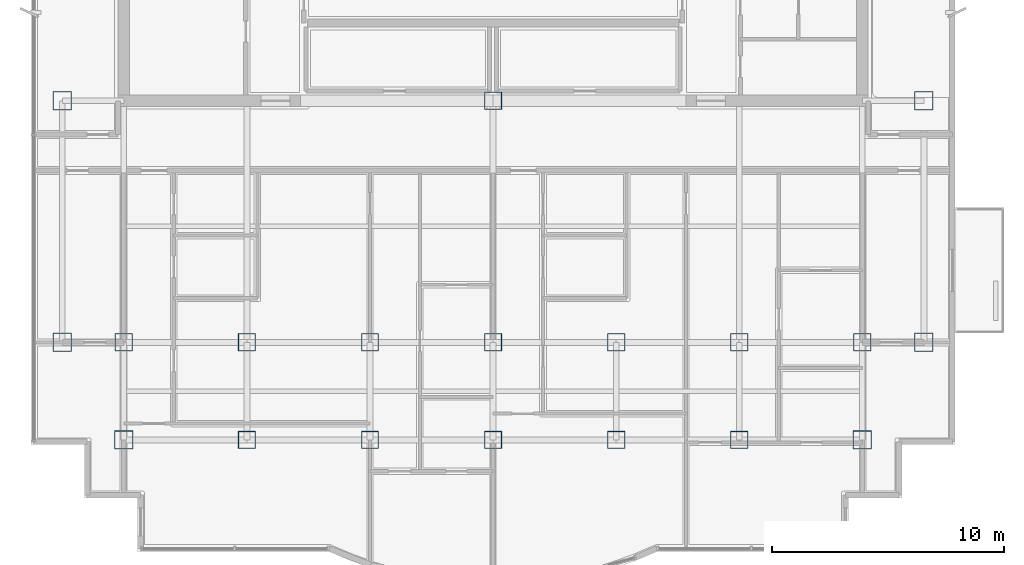
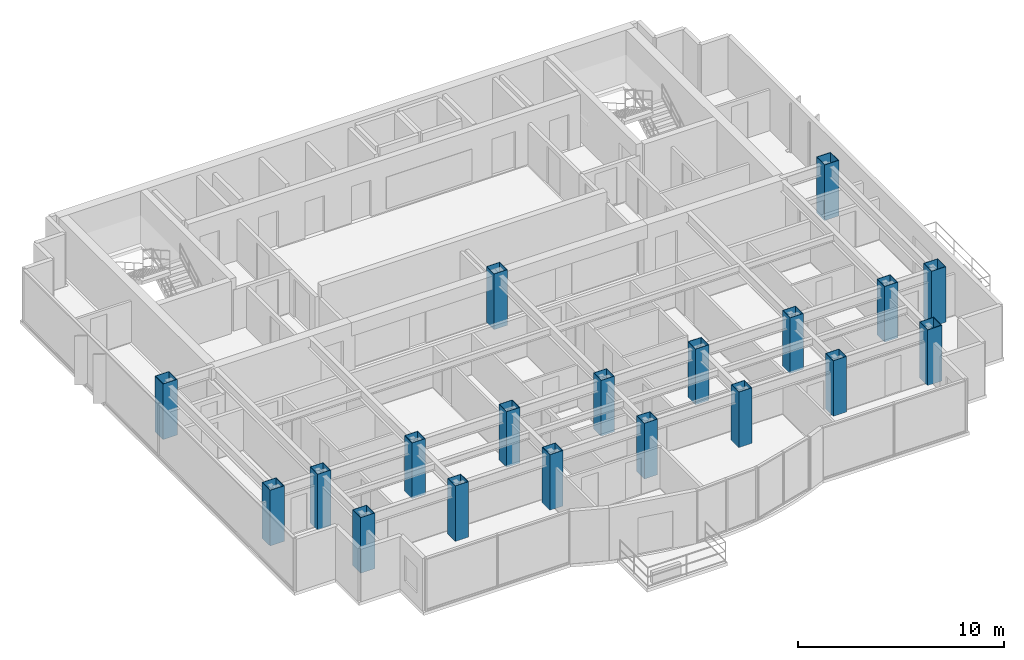
# One storey, part 1 of 11: 19 columns.
"""IFC4 building model written with IfcOpenShell, lengths in metres."""

from ifc_helpers import new_model, si_unit, direction, frame, origin, origin_2d, place, context, subcontext, project, spatial, hollow_rectangle, extrude, material, material_profile, profile_set, type_object, element, save


model = new_model("IFC4")

# Units and contexts
model_context = context("Model", 3, precision=1e-05, world=origin(), true_north=direction((0.0, 1.0)))
body_context = subcontext(model_context, "Body", "Model", "MODEL_VIEW")
ifc_project = project(units=[si_unit("LENGTHUNIT", "METRE"), si_unit("AREAUNIT", "SQUARE_METRE"), si_unit("VOLUMEUNIT", "CUBIC_METRE"), si_unit("PLANEANGLEUNIT", "RADIAN"), si_unit("MASSUNIT", "GRAM", prefix="KILO")], contexts=[model_context])

# Site, building, storey
site_placement = place(None, origin())
site = spatial("IfcSite", under=ifc_project, at=site_placement, CompositionType="ELEMENT")
building_placement = place(site_placement, origin())
building = spatial("IfcBuilding", under=site, at=building_placement, Name="Qianlan Lanfeng Residences", CompositionType="ELEMENT")
storey_placement = place(building_placement, frame((0.0, 0.0, 226.39990234375)))
storey = spatial("IfcBuildingStorey", under=building, at=storey_placement, Name="L62", CompositionType="ELEMENT", Elevation=226.39990234375)

# Columns
ifc_material = material(Name="Steel SN490B", Category="steel")
ifc_material_profile_1 = material_profile(ifc_material, hollow_rectangle(XDim=0.75, YDim=0.75, WallThickness=0.02490234375, at=origin_2d()), Name="BOX 750x750x25")
ifc_profile_set_1 = profile_set([ifc_material_profile_1], Name="Steel SN490B")
column_type_1 = type_object("IfcColumnType", Name="C-B800", PredefinedType="COLUMN", material=ifc_profile_set_1)
for number, where, z_axis, x_axis, name in (
    (1, (26.5, 25.199951171875, 0.0), (0.0, 0.0, 1.0), (1.0, 0.0, 0.0), "L62 Structural Column CP_26.5_25.2"),
    (2, (10.60009765625, 14.800048828125, 0.0), (0.0, 0.0, 1.0), (1.0, 0.0, 0.0), "L62 Structural Column M_10.60_14.80"),
    (3, (15.89990234375, 14.800048828125, 0.0), (0.0, 0.0, 1.0), (1.0, 0.0, 0.0), "L62 Structural Column M_15.90_14.80"),
    (4, (15.89990234375, 10.60009765625, 0.0), (0.0, 0.0, 1.0), (1.0, 0.0, 0.0), "L62 Structural Column G_15.90_10.60"),
    (5, (21.199951171875, 14.800048828125, 0.0), (0.0, 0.0, 1.0), (1.0, 0.0, 0.0), "L62 Structural Column M_21.20_14.80"),
    (6, (21.199951171875, 10.60009765625, 0.0), (0.0, 0.0, 1.0), (1.0, 0.0, 0.0), "L62 Structural Column G_21.20_10.60"),
    (7, (26.5, 14.800048828125, 0.0), (0.0, 0.0, 1.0), (1.0, 0.0, 0.0), "L62 Structural Column M_26.50_14.80"),
    (8, (26.5, 10.60009765625, 0.0), (0.0, 0.0, 1.0), (1.0, 0.0, 0.0), "L62 Structural Column G_26.50_10.60"),
    (9, (31.800048828125, 14.800048828125, 0.0), (0.0, 0.0, 1.0), (1.0, 0.0, 0.0), "L62 Structural Column M_31.80_14.80"),
    (10, (31.800048828125, 10.60009765625, 0.0), (0.0, 0.0, 1.0), (1.0, 0.0, 0.0), "L62 Structural Column G_31.80_10.60"),
    (11, (37.10009765625, 14.800048828125, 0.0), (0.0, 0.0, 1.0), (1.0, 0.0, 0.0), "L62 Structural Column M_37.10_14.80"),
    (12, (37.10009765625, 10.60009765625, 0.0), (0.0, 0.0, 1.0), (1.0, 0.0, 0.0), "L62 Structural Column G_37.10_10.60"),
    (13, (42.39990234375, 14.800048828125, 0.0), (0.0, 0.0, 1.0), (1.0, 0.0, 0.0), "L62 Structural Column M_42.40_14.80"),
):
    element("IfcColumn", number, at=place(storey_placement, frame(where, z_axis=z_axis, x_axis=x_axis)), inside=storey, type_object=column_type_1, Name=name, PredefinedType="COLUMN", context=body_context, shape_type="SweptSolid", body=[
        extrude(hollow_rectangle(XDim=0.75, YDim=0.75, WallThickness=0.02490234375, at=origin_2d()), origin(), (0.0, 0.0, 1.0), 3.300048828125),
    ])
ifc_material_profile_2 = material_profile(ifc_material, hollow_rectangle(XDim=0.800048828125, YDim=0.800048828125, WallThickness=0.028076171875, at=origin_2d()), Name="BOX 800x800x28")
ifc_profile_set_2 = profile_set([ifc_material_profile_2], Name="Steel SN490B")
column_type_2 = type_object("IfcColumnType", Name="CE-B800", PredefinedType="COLUMN", material=ifc_profile_set_2)
for number, where, z_axis, x_axis, name in (
    (14, (10.60009765625, 10.60009765625, 0.0), (0.0, 0.0, 1.0), (1.0, 0.0, 0.0), "L62 Structural Column G_10.60_10.60"),
    (15, (42.39990234375, 10.60009765625, 0.0), (0.0, 0.0, 1.0), (1.0, 0.0, 0.0), "L62 Structural Column G_42.40_10.60"),
    (16, (7.949951171875, 14.800048828125, 0.0), (0.0, 0.0, 1.0), (1.0, 0.0, 0.0), "L62 Structural Column W_7.95_14.80"),
    (17, (7.949951171875, 25.199951171875, 0.0), (0.0, 0.0, 1.0), (1.0, 0.0, 0.0), "L62 Structural Column W_7.95_25.20"),
    (18, (45.050048828125, 14.800048828125, 0.0), (0.0, 0.0, 1.0), (1.0, 0.0, 0.0), "L62 Structural Column W_45.05_14.80"),
    (19, (45.050048828125, 25.199951171875, 0.0), (0.0, 0.0, 1.0), (1.0, 0.0, 0.0), "L62 Structural Column W_45.05_25.20"),
):
    element("IfcColumn", number, at=place(storey_placement, frame(where, z_axis=z_axis, x_axis=x_axis)), inside=storey, type_object=column_type_2, Name=name, PredefinedType="COLUMN", context=body_context, shape_type="SweptSolid", body=[
        extrude(hollow_rectangle(XDim=0.800048828125, YDim=0.800048828125, WallThickness=0.028076171875, at=origin_2d()), origin(), (0.0, 0.0, 1.0), 3.300048828125),
    ])

save(model, "model.ifc")
